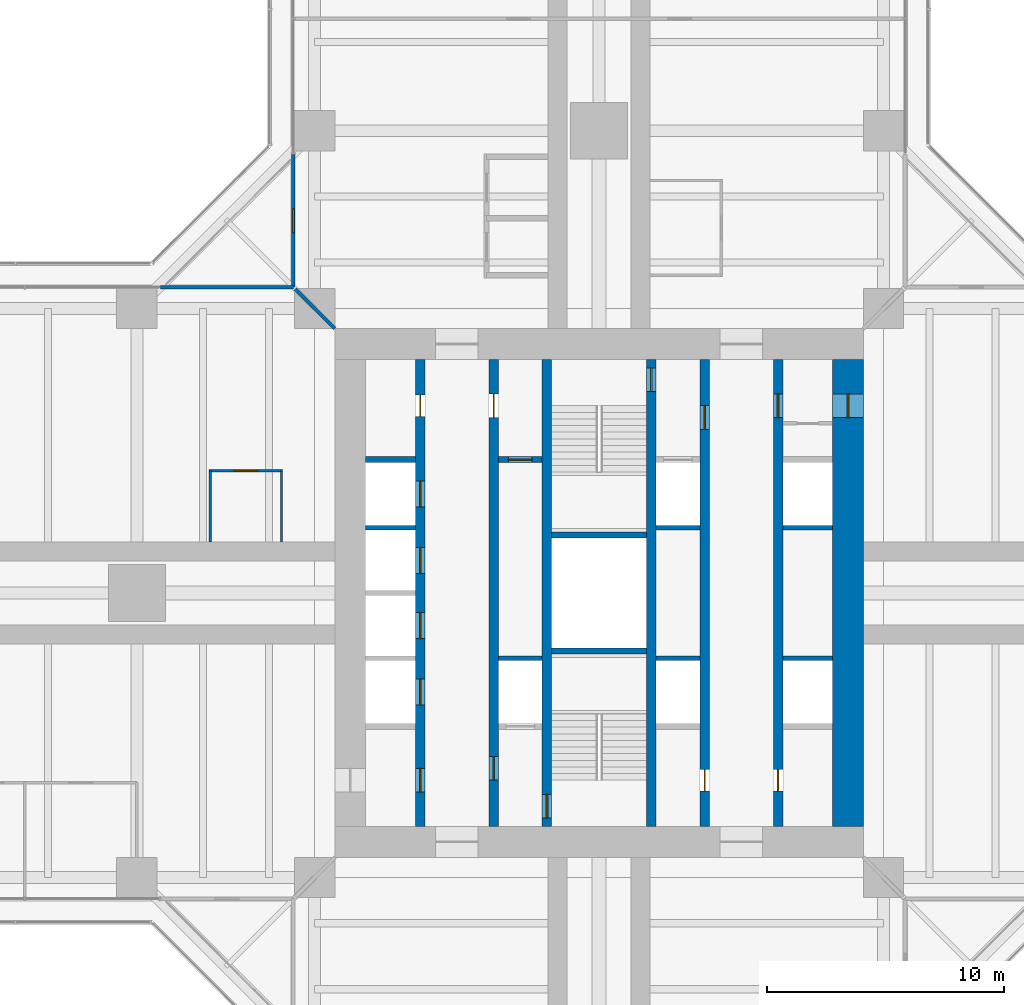
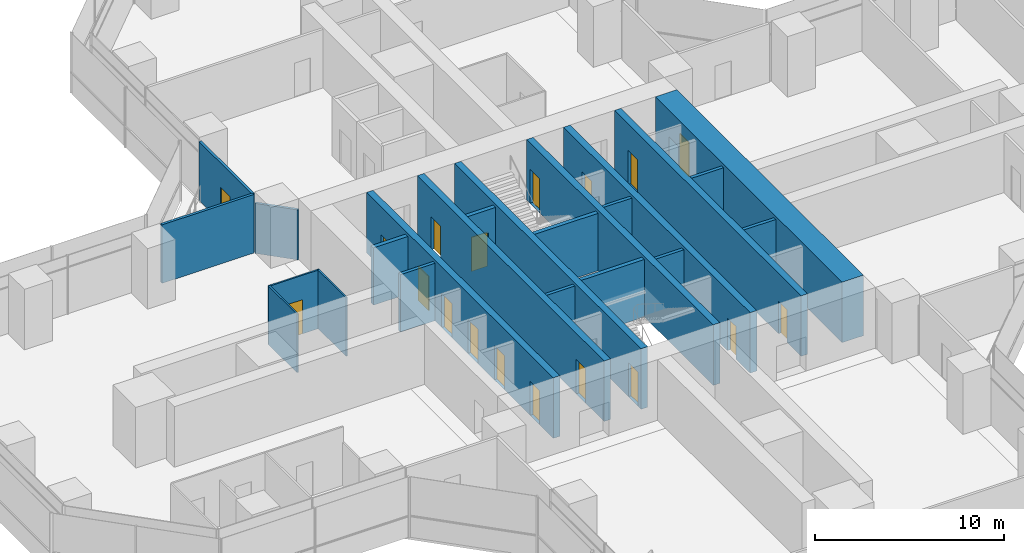
# One storey, part 18 of 22: 23 walls, 18 doors, 18 openings.
"""IFC4 building model written with IfcOpenShell, lengths in metres."""

import ifcopenshell
import ifcopenshell.guid

model = None  # the IFC model being written
_history = None  # IfcOwnerHistory: only IFC2X3 demands one
_inside = {}  # id of a spatial element -> (the spatial element, [elements in it])
_under = {}  # id of a project, library or spatial element -> (it, [spatial elements below it])
_declared = {}  # id of a project -> (the project, [libraries it declares])
_typed = {}  # id of a type object -> (the type object, [elements of that type])
_made_of = {}  # id of a material, layer set ... -> (it, [elements and type objects made of it])


def new_model(schema):
    """Start an empty IFC model of exactly this schema.

    Asked for "IFC4X3", IfcOpenShell would pick the latest addendum, in which some entities
    have other attributes; the version numbers below select the first issue.
    IFC2X3 requires an IfcOwnerHistory on every rooted entity: one is made here for all.
    """
    global model, _history
    if schema == "IFC4X3":
        model = ifcopenshell.file(schema_version=(4, 3, 0, 0))
    else:
        model = ifcopenshell.file(schema=schema)
    _inside.clear()
    _under.clear()
    _declared.clear()
    _typed.clear()
    _made_of.clear()
    _history = None
    if model.schema == "IFC2X3":
        org = make("IfcOrganization", Name="unknown")
        user = make(
            "IfcPersonAndOrganization",
            ThePerson=make("IfcPerson", FamilyName="unknown"),
            TheOrganization=org,
        )
        app = make(
            "IfcApplication",
            ApplicationDeveloper=org,
            Version="unknown",
            ApplicationFullName="unknown",
            ApplicationIdentifier="unknown",
        )
        _history = make(
            "IfcOwnerHistory",
            OwningUser=user,
            OwningApplication=app,
            ChangeAction="ADDED",
            CreationDate=0,
        )
    return model


def make(cls, **values):
    """One entity of the class cls with the attributes given. An attribute that is None is left unset."""
    return model.create_entity(
        cls, **{name: value for name, value in values.items() if value is not None}
    )


def rooted(cls, **values):
    """An entity with a GlobalId (a new one), such as an element, a storey or a relation."""
    return make(cls, GlobalId=ifcopenshell.guid.new(), OwnerHistory=_history, **values)


def si_unit(unit_type, name, prefix=None):
    """IfcSIUnit, for example si_unit("LENGTHUNIT", "METRE", prefix="MILLI")."""
    return make("IfcSIUnit", UnitType=unit_type, Prefix=prefix, Name=name)


def assignment(units):
    """IfcUnitAssignment: the units of a project."""
    return None if units is None else make("IfcUnitAssignment", Units=units)


def point(xyz):
    """IfcCartesianPoint."""
    return None if xyz is None else make("IfcCartesianPoint", Coordinates=xyz)


def direction(xyz):
    """IfcDirection."""
    return None if xyz is None else make("IfcDirection", DirectionRatios=xyz)


def frame(location, z_axis=None, x_axis=None):
    """IfcAxis2Placement3D, a coordinate frame: its origin and axes. An axis left out is left unset."""
    return make(
        "IfcAxis2Placement3D",
        Location=point(location),
        Axis=direction(z_axis),
        RefDirection=direction(x_axis),
    )


def frame_2d(location, x_axis=None):
    """IfcAxis2Placement2D, a coordinate frame in the plane: its origin and x axis."""
    return make(
        "IfcAxis2Placement2D", Location=point(location), RefDirection=direction(x_axis)
    )


def origin():
    """The frame at (0, 0, 0) with its axes left unset."""
    return frame((0.0, 0.0, 0.0))


def place(relative_to, where):
    """IfcLocalPlacement: puts the frame where relative to a parent placement (None: the world)."""
    return make(
        "IfcLocalPlacement", PlacementRelTo=relative_to, RelativePlacement=where
    )


def context(
    kind, dimensions, precision=None, world=None, true_north=None, identifier=None
):
    """IfcGeometricRepresentationContext, for example the 3D "Model" context."""
    return make(
        "IfcGeometricRepresentationContext",
        ContextIdentifier=identifier,
        ContextType=kind,
        CoordinateSpaceDimension=dimensions,
        Precision=precision,
        WorldCoordinateSystem=world,
        TrueNorth=true_north,
    )


def subcontext(parent, identifier, kind, view, scale=None):
    """IfcGeometricRepresentationSubContext, for example "Body" below "Model"."""
    return make(
        "IfcGeometricRepresentationSubContext",
        ContextIdentifier=identifier,
        ContextType=kind,
        ParentContext=parent,
        TargetScale=scale,
        TargetView=view,
    )


def project(units=None, contexts=None):
    """IfcProject with its units and contexts."""
    return rooted(
        "IfcProject",
        Name="project",
        RepresentationContexts=contexts,
        UnitsInContext=assignment(units),
    )


def spatial(cls, under=None, at=None, **own):
    """A site, building, storey or space (cls), placed at a placement, below another one or the project."""
    s = rooted(cls, ObjectPlacement=at, **own)
    if under is not None:
        _under.setdefault(under.id(), (under, []))[1].append(s)
    return s


def profile(cls, at=None, kind="AREA", **sizes):
    """A parametric profile (cls). Its sizes go by their IFC names, for example OverallWidth=200.0."""
    return make(cls, ProfileType=kind, Position=at, **sizes)


def rectangle(**sizes):
    """IfcRectangleProfileDef."""
    return profile("IfcRectangleProfileDef", **sizes)


def extrude(swept, where, along, depth):
    """IfcExtrudedAreaSolid: the profile swept, set in the frame where, extruded along a direction by depth."""
    return make(
        "IfcExtrudedAreaSolid",
        SweptArea=swept,
        Position=where,
        ExtrudedDirection=direction(along),
        Depth=depth,
    )


def shape(context_of_items, identifier, shape_type, items):
    """IfcShapeRepresentation: the items that make up one representation, for example the "Body"."""
    return make(
        "IfcShapeRepresentation",
        ContextOfItems=context_of_items,
        RepresentationIdentifier=identifier,
        RepresentationType=shape_type,
        Items=items,
    )


def material(Name=None, Category=None):
    """IfcMaterial."""
    return make("IfcMaterial", Name=Name, Category=Category)


def layer(
    of_material, thickness, ventilated=None, Name=None, Category=None, Priority=None
):
    """IfcMaterialLayer: one layer of a wall or slab, of a material (None: an air gap)."""
    return make(
        "IfcMaterialLayer",
        Material=of_material,
        LayerThickness=thickness,
        IsVentilated=ventilated,
        Name=Name,
        Category=Category,
        Priority=Priority,
    )


def layer_set(layers, Name=None):
    """IfcMaterialLayerSet."""
    return make("IfcMaterialLayerSet", MaterialLayers=layers, LayerSetName=Name)


def made_of(thing, what):
    """Note that an element or type object is made of a material, layer set ...; save() writes the relation."""
    if what is not None:
        _made_of.setdefault(what.id(), (what, []))[1].append(thing)
    return thing


def type_object(cls, material=None, **own):
    """A type object (cls), such as IfcWallType, which elements share."""
    return made_of(rooted(cls, **own), material)


def element(
    cls,
    number,
    at=None,
    inside=None,
    cuts=None,
    type_object=None,
    material=None,
    context=None,
    identifier="Body",
    shape_type=None,
    held_by="IfcProductDefinitionShape",
    body=None,
    shapes=None,
    **own,
):
    """One element of the class cls, such as IfcWall. Its Tag is "e" and its number.

    at: its placement. inside: the storey or other place that contains it. cuts: it is an
    opening in that element (IfcRelVoidsElement). A single representation is given by context,
    identifier, shape_type and body (its items); several are given by shapes. held_by: the class
    of the entity that holds the representations. save() writes the other relations.
    """
    e = rooted(cls, Tag="e%d" % number, ObjectPlacement=at, **own)
    if body is not None:
        shapes = [shape(context, identifier, shape_type, body)]
    if shapes is not None:
        e.Representation = make(held_by, Representations=shapes)
    if inside is not None:
        _inside.setdefault(inside.id(), (inside, []))[1].append(e)
    if cuts is not None:
        rooted(
            "IfcRelVoidsElement", RelatingBuildingElement=cuts, RelatedOpeningElement=e
        )
    if type_object is not None:
        _typed.setdefault(type_object.id(), (type_object, []))[1].append(e)
    return made_of(e, material)


def fill(opening, filler):
    """IfcRelFillsElement: the door or window that sits in an opening."""
    return rooted(
        "IfcRelFillsElement",
        RelatingOpeningElement=opening,
        RelatedBuildingElement=filler,
    )


def aggregate(whole, parts):
    """IfcRelAggregates: a whole, such as a stair, and the parts it consists of."""
    return rooted("IfcRelAggregates", RelatingObject=whole, RelatedObjects=parts)


def save(model, path):
    """Write the relations noted so far, then the file.

    IfcRelAggregates (storeys below a building ...), IfcRelContainedInSpatialStructure (elements
    in a storey), IfcRelDefinesByType, IfcRelAssociatesMaterial and IfcRelDeclares: one each for
    every whole, place, type object, material and project.
    """
    for whole, parts in _under.values():
        aggregate(whole, parts)
    for where, things in _inside.values():
        rooted(
            "IfcRelContainedInSpatialStructure",
            RelatedElements=things,
            RelatingStructure=where,
        )
    for kind, things in _typed.values():
        rooted("IfcRelDefinesByType", RelatedObjects=things, RelatingType=kind)
    for what, things in _made_of.values():
        rooted("IfcRelAssociatesMaterial", RelatedObjects=things, RelatingMaterial=what)
    for by, libraries in _declared.values():
        rooted("IfcRelDeclares", RelatingContext=by, RelatedDefinitions=libraries)
    model.write(path)


model = new_model("IFC4")

# Units and contexts
model_context = context("Model", 3, precision=1e-05, world=origin(), true_north=direction((0.0, 1.0)))
body_context = subcontext(model_context, "Body", "Model", "MODEL_VIEW")
ifc_project = project(units=[si_unit("LENGTHUNIT", "METRE"), si_unit("AREAUNIT", "SQUARE_METRE"), si_unit("VOLUMEUNIT", "CUBIC_METRE"), si_unit("PLANEANGLEUNIT", "RADIAN"), si_unit("MASSUNIT", "GRAM", prefix="KILO")], contexts=[model_context])

# Site, building, storey
site_placement = place(None, origin())
site = spatial("IfcSite", under=ifc_project, at=site_placement, CompositionType="ELEMENT")
building_placement = place(site_placement, origin())
building = spatial("IfcBuilding", under=site, at=building_placement, Name="Mizan Broadcast Tower", CompositionType="ELEMENT")
storey_placement = place(building_placement, frame((0.0, 0.0, 66.89990234375)))
storey = spatial("IfcBuildingStorey", under=building, at=storey_placement, Name="L13", CompositionType="ELEMENT", Elevation=66.89990234375)

# Wall, openings, doors
ifc_material_1 = material(Name="Concrete C70/85", Category="concrete")
ifc_layer_1 = layer(ifc_material_1, 0.39990234375)
ifc_layer_set_1 = layer_set([ifc_layer_1], Name="Concrete C70/85")
wall_type_1 = type_object("IfcWallType", Name="CORE INTERNAL WALL 400", PredefinedType="SHEAR", material=ifc_layer_set_1)
wall_1_placement = place(storey_placement, frame((-7.550048828125, -9.85009765625, 0.0), z_axis=(0.0, 0.0, 1.0), x_axis=(0.0, 1.0, 0.0)))
wall_1 = element("IfcWall", 1, at=wall_1_placement, inside=storey, type_object=wall_type_1, Name="Core wall CORE/XW1", PredefinedType="SHEAR", context=body_context, shape_type="SweptSolid", body=[
    extrude(rectangle(XDim=19.7001953125, YDim=0.39990234375, at=frame_2d((9.85009765625, 0.0))), origin(), (0.0, 0.0, 1.0), 3.900146484375),
])
opening_1_placement = place(wall_1_placement, frame((1.449951171875, 0.0, 0.0)))
opening_1 = element("IfcOpeningElement", 2, at=opening_1_placement, cuts=wall_1, Name="Opening D10F", PredefinedType="OPENING", context=body_context, shape_type="SweptSolid", body=[
    extrude(rectangle(XDim=1.0, YDim=2.199951171875, at=frame_2d((0.5, 1.10009765625))), frame((0.0, 0.2099609375, 0.0), z_axis=(0.0, -1.0, 0.0), x_axis=(1.0, 0.0, 0.0)), (0.0, 0.0, 1.0), 0.419921875),
])
opening_2_placement = place(wall_1_placement, frame((17.300048828125, 0.0, 0.0)))
opening_2 = element("IfcOpeningElement", 3, at=opening_2_placement, cuts=wall_1, Name="Opening D09", PredefinedType="OPENING", context=body_context, shape_type="SweptSolid", body=[
    extrude(rectangle(XDim=0.89990234375, YDim=2.10009765625, at=frame_2d((0.449951171875, 1.050048828125))), frame((0.0, 0.2099609375, 0.0), z_axis=(0.0, -1.0, 0.0), x_axis=(1.0, 0.0, 0.0)), (0.0, 0.0, 1.0), 0.419921875),
])
opening_3_placement = place(wall_1_placement, frame((5.125, 0.0, 0.0)))
opening_3 = element("IfcOpeningElement", 4, at=opening_3_placement, cuts=wall_1, Name="Opening LD", PredefinedType="OPENING", context=body_context, shape_type="SweptSolid", body=[
    extrude(rectangle(XDim=1.10009765625, YDim=2.199951171875, at=frame_2d((0.550048828125, 1.10009765625))), frame((0.0, 0.2099609375, 0.0), z_axis=(0.0, -1.0, 0.0), x_axis=(1.0, 0.0, 0.0)), (0.0, 0.0, 1.0), 0.419921875),
])
opening_4_placement = place(wall_1_placement, frame((7.925048828125, 0.0, 0.0)))
opening_4 = element("IfcOpeningElement", 5, at=opening_4_placement, cuts=wall_1, Name="Opening LD", PredefinedType="OPENING", context=body_context, shape_type="SweptSolid", body=[
    extrude(rectangle(XDim=1.10009765625, YDim=2.199951171875, at=frame_2d((0.550048828125, 1.10009765625))), frame((0.0, 0.2099609375, 0.0), z_axis=(0.0, -1.0, 0.0), x_axis=(1.0, 0.0, 0.0)), (0.0, 0.0, 1.0), 0.419921875),
])
opening_5_placement = place(wall_1_placement, frame((10.675048828125, 0.0, 0.0)))
opening_5 = element("IfcOpeningElement", 6, at=opening_5_placement, cuts=wall_1, Name="Opening LD", PredefinedType="OPENING", context=body_context, shape_type="SweptSolid", body=[
    extrude(rectangle(XDim=1.10009765625, YDim=2.199951171875, at=frame_2d((0.550048828125, 1.10009765625))), frame((0.0, 0.2099609375, 0.0), z_axis=(0.0, -1.0, 0.0), x_axis=(1.0, 0.0, 0.0)), (0.0, 0.0, 1.0), 0.419921875),
])
opening_6_placement = place(wall_1_placement, frame((13.47509765625, 0.0, 0.0)))
opening_6 = element("IfcOpeningElement", 7, at=opening_6_placement, cuts=wall_1, Name="Opening LD", PredefinedType="OPENING", context=body_context, shape_type="SweptSolid", body=[
    extrude(rectangle(XDim=1.10009765625, YDim=2.199951171875, at=frame_2d((0.550048828125, 1.10009765625))), frame((0.0, 0.2099609375, 0.0), z_axis=(0.0, -1.0, 0.0), x_axis=(1.0, 0.0, 0.0)), (0.0, 0.0, 1.0), 0.419921875),
])
ifc_material_2 = material(Name="Steel door leaf in steel frame", Category="steel")
door_type_1 = type_object("IfcDoorType", Name="FIRE DOOR 1000 FD90", OperationType="SINGLE_SWING_LEFT", PredefinedType="DOOR", material=ifc_material_2)
door_1_placement = place(opening_1_placement, origin())
door_1 = element("IfcDoor", 8, at=door_1_placement, inside=storey, type_object=door_type_1, Name="West core passage door", OperationType="SINGLE_SWING_LEFT", OverallHeight=2.199951171875, OverallWidth=1.0, PredefinedType="DOOR", context=body_context, shape_type="SweptSolid", body=[
    extrude(rectangle(XDim=1.0, YDim=2.199951171875, at=frame_2d((0.5, 1.10009765625))), frame((0.0, 0.02490234375, 0.0), z_axis=(0.0, -1.0, 0.0), x_axis=(1.0, 0.0, 0.0)), (0.0, 0.0, 1.0), 0.050048828125),
])
fill(opening_1, door_1)
ifc_material_3 = material(Name="Steel door leaf in steel frame", Category="steel")
door_type_2 = type_object("IfcDoorType", Name="LIFT LANDING DOOR 1100", OperationType="SLIDING_TO_LEFT", PredefinedType="DOOR", material=ifc_material_3)
door_2_placement = place(opening_3_placement, origin())
door_2 = element("IfcDoor", 9, at=door_2_placement, inside=storey, type_object=door_type_2, Name="Landing door LA1", OperationType="SLIDING_TO_LEFT", OverallHeight=2.199951171875, OverallWidth=1.10009765625, PredefinedType="DOOR", context=body_context, shape_type="SweptSolid", body=[
    extrude(rectangle(XDim=1.10009765625, YDim=2.199951171875, at=frame_2d((0.550048828125, 1.10009765625))), frame((0.0, 0.02490234375, 0.0), z_axis=(0.0, -1.0, 0.0), x_axis=(1.0, 0.0, 0.0)), (0.0, 0.0, 1.0), 0.050048828125),
])
fill(opening_3, door_2)
door_3_placement = place(opening_4_placement, origin())
door_3 = element("IfcDoor", 10, at=door_3_placement, inside=storey, type_object=door_type_2, Name="Landing door LA2", OperationType="SLIDING_TO_LEFT", OverallHeight=2.199951171875, OverallWidth=1.10009765625, PredefinedType="DOOR", context=body_context, shape_type="SweptSolid", body=[
    extrude(rectangle(XDim=1.10009765625, YDim=2.199951171875, at=frame_2d((0.550048828125, 1.10009765625))), frame((0.0, 0.02490234375, 0.0), z_axis=(0.0, -1.0, 0.0), x_axis=(1.0, 0.0, 0.0)), (0.0, 0.0, 1.0), 0.050048828125),
])
fill(opening_4, door_3)
door_4_placement = place(opening_5_placement, origin())
door_4 = element("IfcDoor", 11, at=door_4_placement, inside=storey, type_object=door_type_2, Name="Landing door LA3", OperationType="SLIDING_TO_LEFT", OverallHeight=2.199951171875, OverallWidth=1.10009765625, PredefinedType="DOOR", context=body_context, shape_type="SweptSolid", body=[
    extrude(rectangle(XDim=1.10009765625, YDim=2.199951171875, at=frame_2d((0.550048828125, 1.10009765625))), frame((0.0, 0.02490234375, 0.0), z_axis=(0.0, -1.0, 0.0), x_axis=(1.0, 0.0, 0.0)), (0.0, 0.0, 1.0), 0.050048828125),
])
fill(opening_5, door_4)
door_5_placement = place(opening_6_placement, origin())
door_5 = element("IfcDoor", 12, at=door_5_placement, inside=storey, type_object=door_type_2, Name="Landing door LA4", OperationType="SLIDING_TO_LEFT", OverallHeight=2.199951171875, OverallWidth=1.10009765625, PredefinedType="DOOR", context=body_context, shape_type="SweptSolid", body=[
    extrude(rectangle(XDim=1.10009765625, YDim=2.199951171875, at=frame_2d((0.550048828125, 1.10009765625))), frame((0.0, 0.02490234375, 0.0), z_axis=(0.0, -1.0, 0.0), x_axis=(1.0, 0.0, 0.0)), (0.0, 0.0, 1.0), 0.050048828125),
])
fill(opening_6, door_5)
ifc_material_4 = material(Name="Timber door leaf in aluminium frame", Category="wood")
door_type_3 = type_object("IfcDoorType", Name="TOILET DOOR 900", OperationType="SINGLE_SWING_LEFT", PredefinedType="DOOR", material=ifc_material_4)
door_6_placement = place(opening_2_placement, origin())
door_6 = element("IfcDoor", 13, at=door_6_placement, inside=storey, type_object=door_type_3, Name="Male WC door", OperationType="SINGLE_SWING_RIGHT", OverallHeight=2.10009765625, OverallWidth=0.89990234375, PredefinedType="DOOR", context=body_context, shape_type="SweptSolid", body=[
    extrude(rectangle(XDim=0.89990234375, YDim=2.10009765625, at=frame_2d((0.449951171875, 1.050048828125))), frame((0.0, 0.02490234375, 0.0), z_axis=(0.0, -1.0, 0.0), x_axis=(1.0, 0.0, 0.0)), (0.0, 0.0, 1.0), 0.050048828125),
])
fill(opening_2, door_6)

wall_2_placement = place(storey_placement, frame((7.550048828125, 9.85009765625, 0.0), z_axis=(0.0, 0.0, 1.0), x_axis=(0.0, -1.0, 0.0)))
wall_2 = element("IfcWall", 14, at=wall_2_placement, inside=storey, type_object=wall_type_1, Name="Core wall CORE/XW1E", PredefinedType="SHEAR", context=body_context, shape_type="SweptSolid", body=[
    extrude(rectangle(XDim=19.7001953125, YDim=0.39990234375, at=frame_2d((9.85009765625, 0.0))), origin(), (0.0, 0.0, 1.0), 3.900146484375),
])
opening_7_placement = place(wall_2_placement, frame((1.449951171875, 0.0, 0.0)))
opening_7 = element("IfcOpeningElement", 15, at=opening_7_placement, cuts=wall_2, Name="Opening D10F", PredefinedType="OPENING", context=body_context, shape_type="SweptSolid", body=[
    extrude(rectangle(XDim=1.0, YDim=2.199951171875, at=frame_2d((0.5, 1.10009765625))), frame((0.0, 0.2099609375, 0.0), z_axis=(0.0, -1.0, 0.0), x_axis=(1.0, 0.0, 0.0)), (0.0, 0.0, 1.0), 0.419921875),
])
opening_8_placement = place(wall_2_placement, frame((17.300048828125, 0.0, 0.0)))
opening_8 = element("IfcOpeningElement", 16, at=opening_8_placement, cuts=wall_2, Name="Opening D09", PredefinedType="OPENING", context=body_context, shape_type="SweptSolid", body=[
    extrude(rectangle(XDim=0.89990234375, YDim=2.10009765625, at=frame_2d((0.449951171875, 1.050048828125))), frame((0.0, 0.2099609375, 0.0), z_axis=(0.0, -1.0, 0.0), x_axis=(1.0, 0.0, 0.0)), (0.0, 0.0, 1.0), 0.419921875),
])
door_7_placement = place(opening_7_placement, origin())
door_7 = element("IfcDoor", 17, at=door_7_placement, inside=storey, type_object=door_type_1, Name="East core passage door", OperationType="SINGLE_SWING_LEFT", OverallHeight=2.199951171875, OverallWidth=1.0, PredefinedType="DOOR", context=body_context, shape_type="SweptSolid", body=[
    extrude(rectangle(XDim=1.0, YDim=2.199951171875, at=frame_2d((0.5, 1.10009765625))), frame((0.0, 0.02490234375, 0.0), z_axis=(0.0, -1.0, 0.0), x_axis=(1.0, 0.0, 0.0)), (0.0, 0.0, 1.0), 0.050048828125),
])
fill(opening_7, door_7)
door_8_placement = place(opening_8_placement, origin())
door_8 = element("IfcDoor", 18, at=door_8_placement, inside=storey, type_object=door_type_3, Name="Female WC door", OperationType="SINGLE_SWING_RIGHT", OverallHeight=2.10009765625, OverallWidth=0.89990234375, PredefinedType="DOOR", context=body_context, shape_type="SweptSolid", body=[
    extrude(rectangle(XDim=0.89990234375, YDim=2.10009765625, at=frame_2d((0.449951171875, 1.050048828125))), frame((0.0, 0.02490234375, 0.0), z_axis=(0.0, -1.0, 0.0), x_axis=(1.0, 0.0, 0.0)), (0.0, 0.0, 1.0), 0.050048828125),
])
fill(opening_8, door_8)

wall_3_placement = place(storey_placement, frame((-4.449951171875, -9.85009765625, 0.0), z_axis=(0.0, 0.0, 1.0), x_axis=(0.0, 1.0, 0.0)))
wall_3 = element("IfcWall", 19, at=wall_3_placement, inside=storey, type_object=wall_type_1, Name="Core wall CORE/XWH", PredefinedType="SHEAR", context=body_context, shape_type="SweptSolid", body=[
    extrude(rectangle(XDim=19.7001953125, YDim=0.39990234375, at=frame_2d((9.85009765625, 0.0))), origin(), (0.0, 0.0, 1.0), 3.900146484375),
])
opening_9_placement = place(wall_3_placement, frame((1.949951171875, 0.0, 0.0)))
opening_9 = element("IfcOpeningElement", 20, at=opening_9_placement, cuts=wall_3, Name="Opening D10F", PredefinedType="OPENING", context=body_context, shape_type="SweptSolid", body=[
    extrude(rectangle(XDim=1.0, YDim=2.199951171875, at=frame_2d((0.5, 1.10009765625))), frame((0.0, 0.2099609375, 0.0), z_axis=(0.0, -1.0, 0.0), x_axis=(1.0, 0.0, 0.0)), (0.0, 0.0, 1.0), 0.419921875),
])
opening_10_placement = place(wall_3_placement, frame((17.25, 0.0, 0.0)))
opening_10 = element("IfcOpeningElement", 21, at=opening_10_placement, cuts=wall_3, Name="Opening D10A", PredefinedType="OPENING", context=body_context, shape_type="SweptSolid", body=[
    extrude(rectangle(XDim=1.0, YDim=2.10009765625, at=frame_2d((0.5, 1.050048828125))), frame((0.0, 0.2099609375, 0.0), z_axis=(0.0, -1.0, 0.0), x_axis=(1.0, 0.0, 0.0)), (0.0, 0.0, 1.0), 0.419921875),
])
ifc_material_5 = material(Name="Timber door leaf in aluminium frame", Category="wood")
door_type_4 = type_object("IfcDoorType", Name="ACCESSIBLE WC DOOR 1000", OperationType="SLIDING_TO_LEFT", PredefinedType="DOOR", material=ifc_material_5)
door_9_placement = place(opening_10_placement, origin())
door_9 = element("IfcDoor", 22, at=door_9_placement, inside=storey, type_object=door_type_4, Name="Accessible WC door", OperationType="SLIDING_TO_LEFT", OverallHeight=2.10009765625, OverallWidth=1.0, PredefinedType="DOOR", context=body_context, shape_type="SweptSolid", body=[
    extrude(rectangle(XDim=1.0, YDim=2.10009765625, at=frame_2d((0.5, 1.050048828125))), frame((0.0, 0.02490234375, 0.0), z_axis=(0.0, -1.0, 0.0), x_axis=(1.0, 0.0, 0.0)), (0.0, 0.0, 1.0), 0.050048828125),
])
fill(opening_10, door_9)
door_10_placement = place(opening_9_placement, origin())
door_10 = element("IfcDoor", 23, at=door_10_placement, inside=storey, type_object=door_type_1, Name="Firefighting lobby A door", OperationType="SINGLE_SWING_LEFT", OverallHeight=2.199951171875, OverallWidth=1.0, PredefinedType="DOOR", context=body_context, shape_type="SweptSolid", body=[
    extrude(rectangle(XDim=1.0, YDim=2.199951171875, at=frame_2d((0.5, 1.10009765625))), frame((0.0, 0.02490234375, 0.0), z_axis=(0.0, -1.0, 0.0), x_axis=(1.0, 0.0, 0.0)), (0.0, 0.0, 1.0), 0.050048828125),
])
fill(opening_9, door_10)

wall_4_placement = place(storey_placement, frame((4.449951171875, 9.85009765625, 0.0), z_axis=(0.0, 0.0, 1.0), x_axis=(0.0, -1.0, 0.0)))
wall_4 = element("IfcWall", 24, at=wall_4_placement, inside=storey, type_object=wall_type_1, Name="Core wall CORE/XWHE", PredefinedType="SHEAR", context=body_context, shape_type="SweptSolid", body=[
    extrude(rectangle(XDim=19.7001953125, YDim=0.39990234375, at=frame_2d((9.85009765625, 0.0))), origin(), (0.0, 0.0, 1.0), 3.900146484375),
])
opening_11_placement = place(wall_4_placement, frame((1.949951171875, 0.0, 0.0)))
opening_11 = element("IfcOpeningElement", 25, at=opening_11_placement, cuts=wall_4, Name="Opening D10F", PredefinedType="OPENING", context=body_context, shape_type="SweptSolid", body=[
    extrude(rectangle(XDim=1.0, YDim=2.199951171875, at=frame_2d((0.5, 1.10009765625))), frame((0.0, 0.2099609375, 0.0), z_axis=(0.0, -1.0, 0.0), x_axis=(1.0, 0.0, 0.0)), (0.0, 0.0, 1.0), 0.419921875),
])
opening_12_placement = place(wall_4_placement, frame((17.300048828125, 0.0, 0.0)))
opening_12 = element("IfcOpeningElement", 26, at=opening_12_placement, cuts=wall_4, Name="Opening D09", PredefinedType="OPENING", context=body_context, shape_type="SweptSolid", body=[
    extrude(rectangle(XDim=0.89990234375, YDim=2.10009765625, at=frame_2d((0.449951171875, 1.050048828125))), frame((0.0, 0.2099609375, 0.0), z_axis=(0.0, -1.0, 0.0), x_axis=(1.0, 0.0, 0.0)), (0.0, 0.0, 1.0), 0.419921875),
])
door_11_placement = place(opening_11_placement, origin())
door_11 = element("IfcDoor", 27, at=door_11_placement, inside=storey, type_object=door_type_1, Name="Firefighting lobby B door", OperationType="SINGLE_SWING_LEFT", OverallHeight=2.199951171875, OverallWidth=1.0, PredefinedType="DOOR", context=body_context, shape_type="SweptSolid", body=[
    extrude(rectangle(XDim=1.0, YDim=2.199951171875, at=frame_2d((0.5, 1.10009765625))), frame((0.0, 0.02490234375, 0.0), z_axis=(0.0, -1.0, 0.0), x_axis=(1.0, 0.0, 0.0)), (0.0, 0.0, 1.0), 0.050048828125),
])
fill(opening_11, door_11)
door_12_placement = place(opening_12_placement, origin())
door_12 = element("IfcDoor", 28, at=door_12_placement, inside=storey, type_object=door_type_3, Name="Cleaner's store door", OperationType="SINGLE_SWING_RIGHT", OverallHeight=2.10009765625, OverallWidth=0.89990234375, PredefinedType="DOOR", context=body_context, shape_type="SweptSolid", body=[
    extrude(rectangle(XDim=0.89990234375, YDim=2.10009765625, at=frame_2d((0.449951171875, 1.050048828125))), frame((0.0, 0.02490234375, 0.0), z_axis=(0.0, -1.0, 0.0), x_axis=(1.0, 0.0, 0.0)), (0.0, 0.0, 1.0), 0.050048828125),
])
fill(opening_12, door_12)

# Wall, opening, door
wall_5_placement = place(storey_placement, frame((-2.199951171875, -9.85009765625, 0.0), z_axis=(0.0, 0.0, 1.0), x_axis=(0.0, 1.0, 0.0)))
wall_5 = element("IfcWall", 29, at=wall_5_placement, inside=storey, type_object=wall_type_1, Name="Core wall CORE/XW2", PredefinedType="SHEAR", context=body_context, shape_type="SweptSolid", body=[
    extrude(rectangle(XDim=19.7001953125, YDim=0.39990234375, at=frame_2d((9.85009765625, 0.0))), origin(), (0.0, 0.0, 1.0), 3.900146484375),
])
opening_13_placement = place(wall_5_placement, frame((0.35009765625, 0.0, 0.0)))
opening_13 = element("IfcOpeningElement", 30, at=opening_13_placement, cuts=wall_5, Name="Opening D10S", PredefinedType="OPENING", context=body_context, shape_type="SweptSolid", body=[
    extrude(rectangle(XDim=1.0, YDim=2.199951171875, at=frame_2d((0.5, 1.10009765625))), frame((0.0, 0.2099609375, 0.0), z_axis=(0.0, -1.0, 0.0), x_axis=(1.0, 0.0, 0.0)), (0.0, 0.0, 1.0), 0.419921875),
])
ifc_material_6 = material(Name="Steel door leaf in steel frame", Category="steel")
door_type_5 = type_object("IfcDoorType", Name="STAIR DOOR 1000 FD90S", OperationType="SINGLE_SWING_RIGHT", PredefinedType="DOOR", material=ifc_material_6)
door_13_placement = place(opening_13_placement, origin())
door_13 = element("IfcDoor", 31, at=door_13_placement, inside=storey, type_object=door_type_5, Name="Stair A door", OperationType="SINGLE_SWING_RIGHT", OverallHeight=2.199951171875, OverallWidth=1.0, PredefinedType="DOOR", context=body_context, shape_type="SweptSolid", body=[
    extrude(rectangle(XDim=1.0, YDim=2.199951171875, at=frame_2d((0.5, 1.10009765625))), frame((0.0, 0.02490234375, 0.0), z_axis=(0.0, -1.0, 0.0), x_axis=(1.0, 0.0, 0.0)), (0.0, 0.0, 1.0), 0.050048828125),
])
fill(opening_13, door_13)

wall_6_placement = place(storey_placement, frame((2.199951171875, 9.85009765625, 0.0), z_axis=(0.0, 0.0, 1.0), x_axis=(0.0, -1.0, 0.0)))
wall_6 = element("IfcWall", 32, at=wall_6_placement, inside=storey, type_object=wall_type_1, Name="Core wall CORE/XW2E", PredefinedType="SHEAR", context=body_context, shape_type="SweptSolid", body=[
    extrude(rectangle(XDim=19.7001953125, YDim=0.39990234375, at=frame_2d((9.85009765625, 0.0))), origin(), (0.0, 0.0, 1.0), 3.900146484375),
])
opening_14_placement = place(wall_6_placement, frame((0.35009765625, 0.0, 0.0)))
opening_14 = element("IfcOpeningElement", 33, at=opening_14_placement, cuts=wall_6, Name="Opening D10S", PredefinedType="OPENING", context=body_context, shape_type="SweptSolid", body=[
    extrude(rectangle(XDim=1.0, YDim=2.199951171875, at=frame_2d((0.5, 1.10009765625))), frame((0.0, 0.2099609375, 0.0), z_axis=(0.0, -1.0, 0.0), x_axis=(1.0, 0.0, 0.0)), (0.0, 0.0, 1.0), 0.419921875),
])
door_14_placement = place(opening_14_placement, origin())
door_14 = element("IfcDoor", 34, at=door_14_placement, inside=storey, type_object=door_type_5, Name="Stair B door", OperationType="SINGLE_SWING_RIGHT", OverallHeight=2.199951171875, OverallWidth=1.0, PredefinedType="DOOR", context=body_context, shape_type="SweptSolid", body=[
    extrude(rectangle(XDim=1.0, YDim=2.199951171875, at=frame_2d((0.5, 1.10009765625))), frame((0.0, 0.02490234375, 0.0), z_axis=(0.0, -1.0, 0.0), x_axis=(1.0, 0.0, 0.0)), (0.0, 0.0, 1.0), 0.050048828125),
])
fill(opening_14, door_14)

ifc_material_7 = material(Name="Concrete C70/85", Category="concrete")
ifc_layer_2 = layer(ifc_material_7, 1.300048828125)
ifc_layer_set_2 = layer_set([ifc_layer_2], Name="Concrete C70/85")
wall_type_2 = type_object("IfcWallType", Name="CORE WALL 1300", PredefinedType="SHEAR", material=ifc_layer_set_2)
wall_7_placement = place(storey_placement, frame((10.5, -9.85009765625, 0.0), z_axis=(0.0, 0.0, 1.0), x_axis=(0.0, 1.0, 0.0)))
wall_7 = element("IfcWall", 35, at=wall_7_placement, inside=storey, type_object=wall_type_2, Name="Core wall E L13", PredefinedType="SHEAR", context=body_context, shape_type="SweptSolid", body=[
    extrude(rectangle(XDim=19.7001953125, YDim=1.300048828125, at=frame_2d((9.85009765625, 0.0))), origin(), (0.0, 0.0, 1.0), 3.900146484375),
])
opening_15_placement = place(wall_7_placement, frame((17.25, 0.0, 0.0)))
opening_15 = element("IfcOpeningElement", 36, at=opening_15_placement, cuts=wall_7, Name="Opening D10F", PredefinedType="OPENING", context=body_context, shape_type="SweptSolid", body=[
    extrude(rectangle(XDim=1.0, YDim=2.199951171875, at=frame_2d((0.5, 1.10009765625))), frame((0.0, 0.659912109375, 0.0), z_axis=(0.0, -1.0, 0.0), x_axis=(1.0, 0.0, 0.0)), (0.0, 0.0, 1.0), 1.320068359375),
])
door_15_placement = place(opening_15_placement, origin())
door_15 = element("IfcDoor", 37, at=door_15_placement, inside=storey, type_object=door_type_1, Name="East core passage arm door", OperationType="SINGLE_SWING_RIGHT", OverallHeight=2.199951171875, OverallWidth=1.0, PredefinedType="DOOR", context=body_context, shape_type="SweptSolid", body=[
    extrude(rectangle(XDim=1.0, YDim=2.199951171875, at=frame_2d((0.5, 1.10009765625))), frame((0.0, 0.02490234375, 0.0), z_axis=(0.0, -1.0, 0.0), x_axis=(1.0, 0.0, 0.0)), (0.0, 0.0, 1.0), 0.050048828125),
])
fill(opening_15, door_15)

ifc_material_8 = material(Name="Aluminium framed glazed screen", Category="aluminium")
ifc_layer_3 = layer(ifc_material_8, 0.159912109375)
ifc_layer_set_3 = layer_set([ifc_layer_3], Name="Aluminium framed glazed screen")
wall_type_3 = type_object("IfcWallType", Name="GLAZED SCREEN WALL 160", PredefinedType="SOLIDWALL", material=ifc_layer_set_3)
wall_8_placement = place(storey_placement, frame((-12.89990234375, 18.5, 0.0), z_axis=(0.0, 0.0, 1.0), x_axis=(0.0, -1.0, 0.0)))
wall_8 = element("IfcWall", 38, at=wall_8_placement, inside=storey, type_object=wall_type_3, Name="Winter garden screen L13 N", PredefinedType="SOLIDWALL", context=body_context, shape_type="SweptSolid", body=[
    extrude(rectangle(XDim=5.60009765625, YDim=0.159912109375, at=frame_2d((2.800048828125, 0.0))), origin(), (0.0, 0.0, 1.0), 3.77001953125),
])
opening_16_placement = place(wall_8_placement, frame((2.300048828125, 0.0, 0.0)))
opening_16 = element("IfcOpeningElement", 39, at=opening_16_placement, cuts=wall_8, Name="Opening WGD", PredefinedType="OPENING", context=body_context, shape_type="SweptSolid", body=[
    extrude(rectangle(XDim=1.0, YDim=2.199951171875, at=frame_2d((0.5, 1.10009765625))), frame((0.0, 0.08984375, 0.0), z_axis=(0.0, -1.0, 0.0), x_axis=(1.0, 0.0, 0.0)), (0.0, 0.0, 1.0), 0.179931640625),
])
ifc_material_9 = material(Name="Aluminium framed glazed door", Category="aluminium")
door_type_6 = type_object("IfcDoorType", Name="WINTER GARDEN DOOR 1000 GLAZED", OperationType="SINGLE_SWING_LEFT", PredefinedType="DOOR", material=ifc_material_9)
door_16_placement = place(opening_16_placement, origin())
door_16 = element("IfcDoor", 40, at=door_16_placement, inside=storey, type_object=door_type_6, Name="Winter garden door L13 N", OperationType="SINGLE_SWING_RIGHT", OverallHeight=2.199951171875, OverallWidth=1.0, PredefinedType="DOOR", context=body_context, shape_type="SweptSolid", body=[
    extrude(rectangle(XDim=1.0, YDim=2.199951171875, at=frame_2d((0.5, 1.10009765625))), frame((0.0, 0.02490234375, 0.0), z_axis=(0.0, -1.0, 0.0), x_axis=(1.0, 0.0, 0.0)), (0.0, 0.0, 1.0), 0.050048828125),
])
fill(opening_16, door_16)

# Walls
wall_9_placement = place(storey_placement, frame((-12.89990234375, 12.89990234375, 0.0), z_axis=(0.0, 0.0, 1.0), x_axis=(-1.0, 0.0, 0.0)))
element("IfcWall", 41, at=wall_9_placement, inside=storey, type_object=wall_type_3, Name="Winter garden screen L13 W", PredefinedType="SOLIDWALL", context=body_context, shape_type="SweptSolid", body=[
    extrude(rectangle(XDim=5.60009765625, YDim=0.159912109375, at=frame_2d((2.800048828125, 0.0))), origin(), (0.0, 0.0, 1.0), 3.77001953125),
])
ifc_material_10 = material(Name="Concrete blockwork", Category="masonry")
ifc_layer_4 = layer(ifc_material_10, 0.199951171875)
ifc_layer_set_4 = layer_set([ifc_layer_4], Name="Concrete blockwork")
wall_type_4 = type_object("IfcWallType", Name="LIFT SHAFT WALL 200", PredefinedType="SOLIDWALL", material=ifc_layer_set_4)
for number, where, z_axis, x_axis, name in (
    (42, (-4.25, -2.75, 0.0), (0.0, 0.0, 1.0), (1.0, 0.0, 0.0), "Lift shaft wall CORE/SW2-1"),
    (43, (2.39990234375, -2.75, 0.0), (0.0, 0.0, 1.0), (1.0, 0.0, 0.0), "Lift shaft wall CORE/SE2-1"),
):
    element("IfcWall", number, at=place(storey_placement, frame(where, z_axis=z_axis, x_axis=x_axis)), inside=storey, type_object=wall_type_4, Name=name, PredefinedType="SOLIDWALL", context=body_context, shape_type="SweptSolid", body=[
        extrude(rectangle(XDim=1.85009765625, YDim=0.199951171875, at=frame_2d((0.925048828125, 0.0))), origin(), (0.0, 0.0, 1.0), 3.7001953125),
    ])
for number, where, z_axis, x_axis, name in (
    (44, (7.75, -2.75, 0.0), (0.0, 0.0, 1.0), (1.0, 0.0, 0.0), "Lift shaft wall CORE/SE1-1"),
    (45, (-9.85009765625, 2.75, 0.0), (0.0, 0.0, 1.0), (1.0, 0.0, 0.0), "Lift shaft wall CORE/SW1-3"),
):
    element("IfcWall", number, at=place(storey_placement, frame(where, z_axis=z_axis, x_axis=x_axis)), inside=storey, type_object=wall_type_4, Name=name, PredefinedType="SOLIDWALL", context=body_context, shape_type="SweptSolid", body=[
        extrude(rectangle(XDim=2.10009765625, YDim=0.199951171875, at=frame_2d((1.050048828125, 0.0))), origin(), (0.0, 0.0, 1.0), 3.7001953125),
    ])
wall_10_placement = place(storey_placement, frame((2.39990234375, 2.75, 0.0), z_axis=(0.0, 0.0, 1.0), x_axis=(1.0, 0.0, 0.0)))
element("IfcWall", 46, at=wall_10_placement, inside=storey, type_object=wall_type_4, Name="Lift shaft wall CORE/SE2-3", PredefinedType="SOLIDWALL", context=body_context, shape_type="SweptSolid", body=[
    extrude(rectangle(XDim=1.85009765625, YDim=0.199951171875, at=frame_2d((0.925048828125, 0.0))), origin(), (0.0, 0.0, 1.0), 3.7001953125),
])
wall_11_placement = place(storey_placement, frame((7.75, 2.75, 0.0), z_axis=(0.0, 0.0, 1.0), x_axis=(1.0, 0.0, 0.0)))
element("IfcWall", 47, at=wall_11_placement, inside=storey, type_object=wall_type_4, Name="Lift shaft wall CORE/SE1-3", PredefinedType="SOLIDWALL", context=body_context, shape_type="SweptSolid", body=[
    extrude(rectangle(XDim=2.10009765625, YDim=0.199951171875, at=frame_2d((1.050048828125, 0.0))), origin(), (0.0, 0.0, 1.0), 3.7001953125),
])
ifc_material_11 = material(Name="Concrete blockwork", Category="masonry")
ifc_layer_5 = layer(ifc_material_11, 0.25)
ifc_layer_set_5 = layer_set([ifc_layer_5], Name="Concrete blockwork")
wall_type_5 = type_object("IfcWallType", Name="LOBBY ENCLOSURE WALL 250", PredefinedType="SOLIDWALL", material=ifc_layer_set_5)
wall_12_placement = place(storey_placement, frame((-9.85009765625, 5.625, 0.0), z_axis=(0.0, 0.0, 1.0), x_axis=(1.0, 0.0, 0.0)))
element("IfcWall", 48, at=wall_12_placement, inside=storey, type_object=wall_type_5, Name="Lobby enclosure wall CORE/BW1N", PredefinedType="SOLIDWALL", context=body_context, shape_type="SweptSolid", body=[
    extrude(rectangle(XDim=2.10009765625, YDim=0.25, at=frame_2d((1.050048828125, 0.0))), origin(), (0.0, 0.0, 1.0), 3.7001953125),
])

# Wall, opening, door
wall_13_placement = place(storey_placement, frame((-4.25, 5.625, 0.0), z_axis=(0.0, 0.0, 1.0), x_axis=(1.0, 0.0, 0.0)))
wall_13 = element("IfcWall", 49, at=wall_13_placement, inside=storey, type_object=wall_type_5, Name="Lobby enclosure wall CORE/BW2N", PredefinedType="SOLIDWALL", context=body_context, shape_type="SweptSolid", body=[
    extrude(rectangle(XDim=1.85009765625, YDim=0.25, at=frame_2d((0.925048828125, 0.0))), origin(), (0.0, 0.0, 1.0), 3.7001953125),
])
opening_17_placement = place(wall_13_placement, frame((0.425048828125, 0.0, 0.0)))
opening_17 = element("IfcOpeningElement", 50, at=opening_17_placement, cuts=wall_13, Name="Opening D10F", PredefinedType="OPENING", context=body_context, shape_type="SweptSolid", body=[
    extrude(rectangle(XDim=1.0, YDim=2.199951171875, at=frame_2d((0.5, 1.10009765625))), frame((0.0, 0.135009765625, 0.0), z_axis=(0.0, -1.0, 0.0), x_axis=(1.0, 0.0, 0.0)), (0.0, 0.0, 1.0), 0.27001953125),
])
door_17_placement = place(opening_17_placement, origin())
door_17 = element("IfcDoor", 51, at=door_17_placement, inside=storey, type_object=door_type_1, Name="Accessible shower room door", OperationType="SINGLE_SWING_RIGHT", OverallHeight=2.199951171875, OverallWidth=1.0, PredefinedType="DOOR", context=body_context, shape_type="SweptSolid", body=[
    extrude(rectangle(XDim=1.0, YDim=2.199951171875, at=frame_2d((0.5, 1.10009765625))), frame((0.0, 0.02490234375, 0.0), z_axis=(0.0, -1.0, 0.0), x_axis=(1.0, 0.0, 0.0)), (0.0, 0.0, 1.0), 0.050048828125),
])
fill(opening_17, door_17)

# Walls
for number, where, z_axis, x_axis, name in (
    (52, (-2.0, -2.449951171875, 0.0), (0.0, 0.0, 1.0), (1.0, 0.0, 0.0), "Lobby enclosure wall CORE/STA"),
    (53, (-2.0, 2.449951171875, 0.0), (0.0, 0.0, 1.0), (1.0, 0.0, 0.0), "Lobby enclosure wall CORE/STB"),
):
    element("IfcWall", number, at=place(storey_placement, frame(where, z_axis=z_axis, x_axis=x_axis)), inside=storey, type_object=wall_type_5, Name=name, PredefinedType="SOLIDWALL", context=body_context, shape_type="SweptSolid", body=[
        extrude(rectangle(XDim=4.0, YDim=0.25, at=frame_2d((2.0, 0.0))), origin(), (0.0, 0.0, 1.0), 3.7001953125),
    ])
ifc_material_12 = material(Name="Gypsum board on steel studs", Category="steel")
ifc_layer_6 = layer(ifc_material_12, 0.14990234375)
ifc_layer_set_6 = layer_set([ifc_layer_6], Name="Gypsum board on steel studs")
wall_type_6 = type_object("IfcWallType", Name="PARTITION 150", PredefinedType="PARTITIONING", material=ifc_layer_set_6)
wall_14_placement = place(storey_placement, frame((-11.14990234375, 11.14990234375, 0.0), z_axis=(0.0, 0.0, 1.0), x_axis=(-0.707106781187, 0.707106781187, 0.0)))
element("IfcWall", 54, at=wall_14_placement, inside=storey, type_object=wall_type_6, Name="Partition PT/DGWN", PredefinedType="PARTITIONING", context=body_context, shape_type="SweptSolid", body=[
    extrude(rectangle(XDim=2.362060546875, YDim=0.14990234375, at=frame_2d((1.18115234375, 0.0))), origin(), (0.0, 0.0, 1.0), 3.22021484375),
])
ifc_material_13 = material(Name="Glazed aluminium partition on aluminium track", Category="aluminium")
ifc_layer_7 = layer(ifc_material_13, 0.10009765625)
ifc_layer_set_7 = layer_set([ifc_layer_7], Name="Glazed aluminium partition on aluminium track")
wall_type_7 = type_object("IfcWallType", Name="PARTITION GLAZED OFFICE FRONT 100", PredefinedType="PARTITIONING", material=ifc_layer_set_7)
for number, where, z_axis, x_axis, name in (
    (55, (-13.39990234375, 2.14990234375, 0.0), (0.0, 0.0, 1.0), (0.0, 1.0, 0.0), "Glazed office front PT/WKN0a"),
    (56, (-16.39990234375, 2.14990234375, 0.0), (0.0, 0.0, 1.0), (0.0, 1.0, 0.0), "Glazed office front PT/WKN0b"),
):
    element("IfcWall", number, at=place(storey_placement, frame(where, z_axis=z_axis, x_axis=x_axis)), inside=storey, type_object=wall_type_7, Name=name, PredefinedType="PARTITIONING", context=body_context, shape_type="SweptSolid", body=[
        extrude(rectangle(XDim=3.0, YDim=0.10009765625, at=frame_2d((1.5, 0.0))), origin(), (0.0, 0.0, 1.0), 3.77001953125),
    ])

# Wall, opening, door
wall_15_placement = place(storey_placement, frame((-13.35009765625, 5.14990234375, 0.0), z_axis=(0.0, 0.0, 1.0), x_axis=(-1.0, 0.0, 0.0)))
wall_15 = element("IfcWall", 57, at=wall_15_placement, inside=storey, type_object=wall_type_7, Name="Glazed office front PT/WKN0f", PredefinedType="PARTITIONING", context=body_context, shape_type="SweptSolid", body=[
    extrude(rectangle(XDim=3.099853515625, YDim=0.10009765625, at=frame_2d((1.5498046875, 0.0))), origin(), (0.0, 0.0, 1.0), 3.77001953125),
])
opening_18_placement = place(wall_15_placement, frame((1.050048828125, 0.0, 0.0)))
opening_18 = element("IfcOpeningElement", 58, at=opening_18_placement, cuts=wall_15, Name="Opening D10O", PredefinedType="OPENING", context=body_context, shape_type="SweptSolid", body=[
    extrude(rectangle(XDim=1.0, YDim=2.199951171875, at=frame_2d((0.5, 1.10009765625))), frame((0.0, 0.06005859375, 0.0), z_axis=(0.0, -1.0, 0.0), x_axis=(1.0, 0.0, 0.0)), (0.0, 0.0, 1.0), 0.1201171875),
])
ifc_material_14 = material(Name="Timber door leaf in aluminium frame", Category="wood")
door_type_7 = type_object("IfcDoorType", Name="OFFICE DOOR 1000 GLAZED", OperationType="SINGLE_SWING_LEFT", PredefinedType="DOOR", material=ifc_material_14)
door_18_placement = place(opening_18_placement, origin())
door_18 = element("IfcDoor", 59, at=door_18_placement, inside=storey, type_object=door_type_7, Name="Pantry door", OperationType="SINGLE_SWING_LEFT", OverallHeight=2.199951171875, OverallWidth=1.0, PredefinedType="DOOR", context=body_context, shape_type="SweptSolid", body=[
    extrude(rectangle(XDim=1.0, YDim=2.199951171875, at=frame_2d((0.5, 1.10009765625))), frame((0.0, 0.02490234375, 0.0), z_axis=(0.0, -1.0, 0.0), x_axis=(1.0, 0.0, 0.0)), (0.0, 0.0, 1.0), 0.050048828125),
])
fill(opening_18, door_18)

save(model, "model.ifc")
